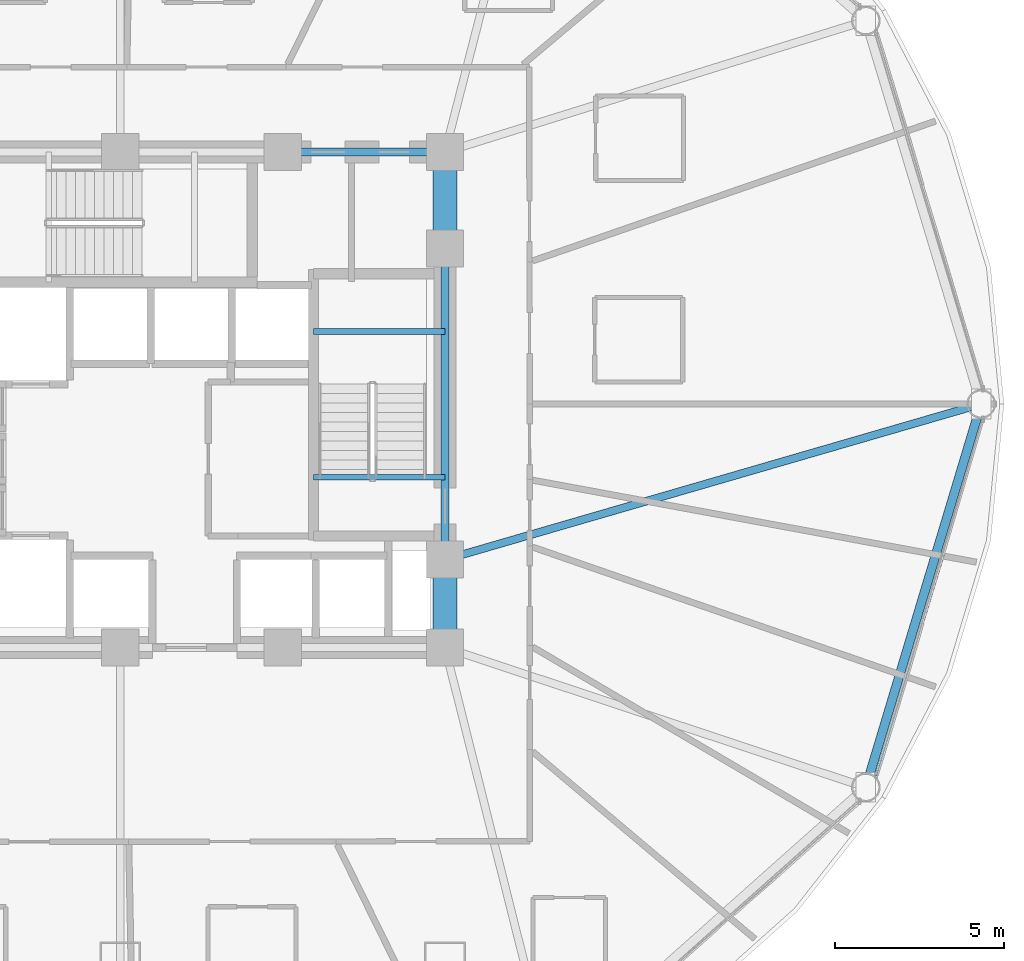
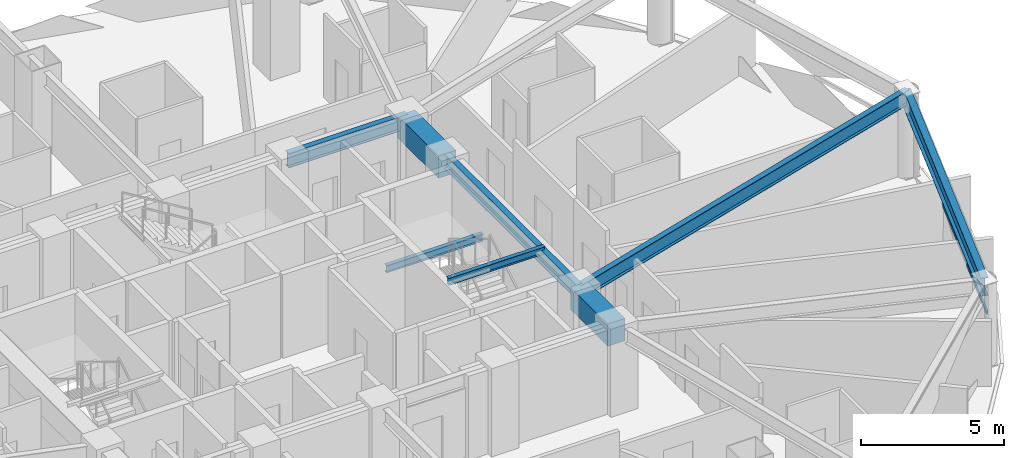
# One storey, part 12 of 31: 8 beams, 1 member, 1 element without a shape of its own.
"""IFC4 building model written with IfcOpenShell, lengths in metres."""

from ifc_helpers import new_model, si_unit, direction, frame, origin, origin_2d, place, context, subcontext, project, spatial, rectangle, hollow_rectangle, i_section, extrude, material, layer, layer_set, material_profile, profile_set, type_object, element, aggregate, save


model = new_model("IFC4")

# Units and contexts
model_context = context("Model", 3, precision=1e-05, world=origin(), true_north=direction((0.0, 1.0)))
body_context = subcontext(model_context, "Body", "Model", "MODEL_VIEW")
ifc_project = project(units=[si_unit("LENGTHUNIT", "METRE"), si_unit("AREAUNIT", "SQUARE_METRE"), si_unit("VOLUMEUNIT", "CUBIC_METRE"), si_unit("PLANEANGLEUNIT", "RADIAN"), si_unit("MASSUNIT", "GRAM", prefix="KILO")], contexts=[model_context])

# Site, building, storey
site_placement = place(None, origin())
site = spatial("IfcSite", under=ifc_project, at=site_placement, CompositionType="ELEMENT")
building_placement = place(site_placement, origin())
building = spatial("IfcBuilding", under=site, at=building_placement, Name="Vantalir Tower", CompositionType="ELEMENT")
storey_placement = place(building_placement, frame((0.0, 0.0, 30.75)))
storey = spatial("IfcBuildingStorey", under=building, at=storey_placement, Name="L06", CompositionType="ELEMENT", Elevation=30.75)

# Beams
ifc_material_1 = material(Name="Concrete C60/75", Category="concrete")
ifc_material_profile_1 = material_profile(ifc_material_1, rectangle(XDim=0.699951171875, YDim=0.949951171875, at=origin_2d()), Name="Concrete C60/75")
ifc_profile_set_1 = profile_set([ifc_material_profile_1], Name="Concrete C60/75")
beam_type_1 = type_object("IfcBeamType", Name="BM-CB-700x950", PredefinedType="USERDEFINED", material=ifc_profile_set_1)
beam_1_placement = place(storey_placement, frame((41.10009765625, 17.800048828125, 3.094970703125), z_axis=(0.0, 1.0, 0.0), x_axis=(-1.0, 0.0, 0.0)))
element("IfcBeam", 1, at=beam_1_placement, inside=storey, type_object=beam_type_1, Name="L06 Core Coupling Girder 05", ObjectType="GIRDER", PredefinedType="USERDEFINED", context=body_context, shape_type="SweptSolid", body=[
    extrude(rectangle(XDim=0.699951171875, YDim=0.949951171875, at=origin_2d()), origin(), (0.0, 0.0, 1.0), 2.599853515625),
])
beam_2_placement = place(storey_placement, frame((41.10009765625, 29.60009765625, 3.094970703125), z_axis=(0.0, 1.0, 0.0), x_axis=(-1.0, 0.0, 0.0)))
element("IfcBeam", 2, at=beam_2_placement, inside=storey, type_object=beam_type_1, Name="L06 Core Coupling Girder 07", ObjectType="GIRDER", PredefinedType="USERDEFINED", context=body_context, shape_type="SweptSolid", body=[
    extrude(rectangle(XDim=0.699951171875, YDim=0.949951171875, at=origin_2d()), origin(), (0.0, 0.0, 1.0), 2.849853515625),
])
ifc_material_2 = material(Name="Steel S355", Category="steel")
ifc_material_profile_2 = material_profile(ifc_material_2, i_section(OverallWidth=0.166015625, OverallDepth=0.306884765625, WebThickness=0.006591796875, FlangeThickness=0.01171875, at=origin_2d()), Name="Steel S355")
ifc_profile_set_2 = profile_set([ifc_material_profile_2], Name="Steel S355")
beam_type_2 = type_object("IfcBeamType", Name="BM-JS-305x165", PredefinedType="JOIST", material=ifc_profile_set_2)
for number, where, z_axis, x_axis, name in (
    (3, (37.2099609375, 22.8349609375, 3.595947265625), (1.0, 0.0, 0.0), (0.0, 1.0, 0.0), "L07 Stair ST2 Well Nosing Trimmer Beam"),
    (4, (37.2099609375, 27.14501953125, 1.52099609375), (1.0, 0.0, 0.0), (0.0, 1.0, 0.0), "L06 Stair ST2 Half-Landing Support Beam"),
):
    element("IfcBeam", number, at=place(storey_placement, frame(where, z_axis=z_axis, x_axis=x_axis)), inside=storey, type_object=beam_type_2, Name=name, PredefinedType="JOIST", context=body_context, shape_type="SweptSolid", body=[
        extrude(i_section(OverallWidth=0.166015625, OverallDepth=0.306884765625, WebThickness=0.006591796875, FlangeThickness=0.01171875, at=origin_2d()), origin(), (0.0, 0.0, 1.0), 3.89013671875),
    ])
ifc_material_profile_3 = material_profile(ifc_material_2, i_section(OverallWidth=0.22998046875, OverallDepth=0.616943359375, WebThickness=0.01318359375, FlangeThickness=0.022216796875, at=origin_2d()), Name="Steel S355")
ifc_profile_set_3 = profile_set([ifc_material_profile_3], Name="Steel S355")
beam_type_3 = type_object("IfcBeamType", Name="BM-RB-610x229", PredefinedType="BEAM", material=ifc_profile_set_3)
beam_3_placement = place(storey_placement, frame((41.10009765625, 20.39990234375, 3.261962890625), z_axis=(0.0, 1.0, 0.0), x_axis=(-1.0, 0.0, 0.0)))
element("IfcBeam", 5, at=beam_3_placement, inside=storey, type_object=beam_type_3, Name="L06 Core Coupling Girder 06", PredefinedType="BEAM", context=body_context, shape_type="SweptSolid", body=[
    extrude(i_section(OverallWidth=0.22998046875, OverallDepth=0.616943359375, WebThickness=0.01318359375, FlangeThickness=0.022216796875, at=origin_2d()), origin(), (0.0, 0.0, 1.0), 9.2001953125),
])
beam_4_placement = place(storey_placement, frame((41.10009765625, 32.449951171875, 3.261962890625), z_axis=(-1.0, 0.0, 0.0), x_axis=(0.0, -1.0, 0.0)))
element("IfcBeam", 6, at=beam_4_placement, inside=storey, type_object=beam_type_3, Name="L06 Core Coupling Girder 08", PredefinedType="BEAM", context=body_context, shape_type="SweptSolid", body=[
    extrude(i_section(OverallWidth=0.22998046875, OverallDepth=0.616943359375, WebThickness=0.01318359375, FlangeThickness=0.022216796875, at=origin_2d()), origin(), (0.0, 0.0, 1.0), 4.800048828125),
])
beam_5_placement = place(storey_placement, frame((56.949951171875, 25.0, 3.261962890625), z_axis=(-0.960370116181, -0.27872789589, 0.0), x_axis=(0.27872789589, -0.960370116181, 0.0)))
element("IfcBeam", 7, at=beam_5_placement, inside=storey, type_object=beam_type_3, Name="L06 Radial Floor Beam 01", PredefinedType="BEAM", context=body_context, shape_type="SweptSolid", body=[
    extrude(i_section(OverallWidth=0.22998046875, OverallDepth=0.616943359375, WebThickness=0.01318359375, FlangeThickness=0.022216796875, at=origin_2d()), origin(), (0.0, 0.0, 1.0), 16.50390625),
])
ifc_material_3 = material(Name="Steel S460", Category="steel")
ifc_material_profile_4 = material_profile(ifc_material_3, i_section(OverallWidth=0.26806640625, OverallDepth=0.77001953125, WebThickness=0.015625, FlangeThickness=0.025390625, at=origin_2d()), Name="Steel S460")
ifc_profile_set_4 = profile_set([ifc_material_profile_4], Name="Steel S460")
beam_type_4 = type_object("IfcBeamType", Name="BM-RG-762x267", PredefinedType="USERDEFINED", material=ifc_profile_set_4)
beam_6_placement = place(storey_placement, frame((53.5400390625, 13.66796875, 3.18505859375), z_axis=(0.288146508643, 0.957586335302, 0.0), x_axis=(-0.957586335302, 0.288146508643, 0.0)))
element("IfcBeam", 8, at=beam_6_placement, inside=storey, type_object=beam_type_4, Name="L06 Circumferential Ring Girder 12", ObjectType="GIRDER", PredefinedType="USERDEFINED", context=body_context, shape_type="SweptSolid", body=[
    extrude(i_section(OverallWidth=0.26806640625, OverallDepth=0.77001953125, WebThickness=0.015625, FlangeThickness=0.025390625, at=origin_2d()), origin(), (0.0, 0.0, 1.0), 11.833984375),
])

# Curtain wall, member
ifc_material_4 = material(Name="Champagne-silver PVDF aluminium and double-silver Low-E glass", Category="aluminium")
ifc_layer = layer(ifc_material_4, 0.18994140625)
ifc_layer_set = layer_set([ifc_layer], Name="Champagne-silver PVDF aluminium and double-silver Low-E glass")
curtain_wall_type = type_object("IfcCurtainWallType", Name="CW-DIAMOND-Z1", PredefinedType="USERDEFINED", material=ifc_layer_set)
curtain_wall_placement = place(storey_placement, origin())
curtain_wall = element("IfcCurtainWall", 9, at=curtain_wall_placement, inside=storey, type_object=curtain_wall_type, Name="L06 Quilted Pyramid-Diamond Curtain Wall S12", ObjectType="UNITISED CURTAIN WALL", PredefinedType="USERDEFINED")
ifc_material_5 = material(Name="Champagne-silver PVDF aluminium 6063-T6", Category="aluminium")
ifc_material_profile_5 = material_profile(ifc_material_5, hollow_rectangle(XDim=0.074951171875, YDim=0.159912109375, WallThickness=0.00390625, at=origin_2d()), Name="Champagne-silver PVDF aluminium 6063-T6")
ifc_profile_set_5 = profile_set([ifc_material_profile_5], Name="Champagne-silver PVDF aluminium 6063-T6")
member_type = type_object("IfcMemberType", Name="CWT-160x75", PredefinedType="USERDEFINED", material=ifc_profile_set_5)
member_placement = place(storey_placement, frame((53.840087890625, 14.02294921875, 1.784912109375), z_axis=(0.291281311736, 0.956637443044, 0.0), x_axis=(-0.956637443044, 0.291281311736, 0.0)))
member = element("IfcMember", 10, at=member_placement, type_object=member_type, Name="CW-L06-S12 Pyramid Fold Ridge Transom", ObjectType="TRANSOM", PredefinedType="USERDEFINED", context=body_context, shape_type="SweptSolid", body=[
    extrude(hollow_rectangle(XDim=0.074951171875, YDim=0.159912109375, WallThickness=0.00390625, at=origin_2d()), origin(), (0.0, 0.0, 1.0), 6.817626953125),
])
aggregate(curtain_wall, [member])

save(model, "model.ifc")
